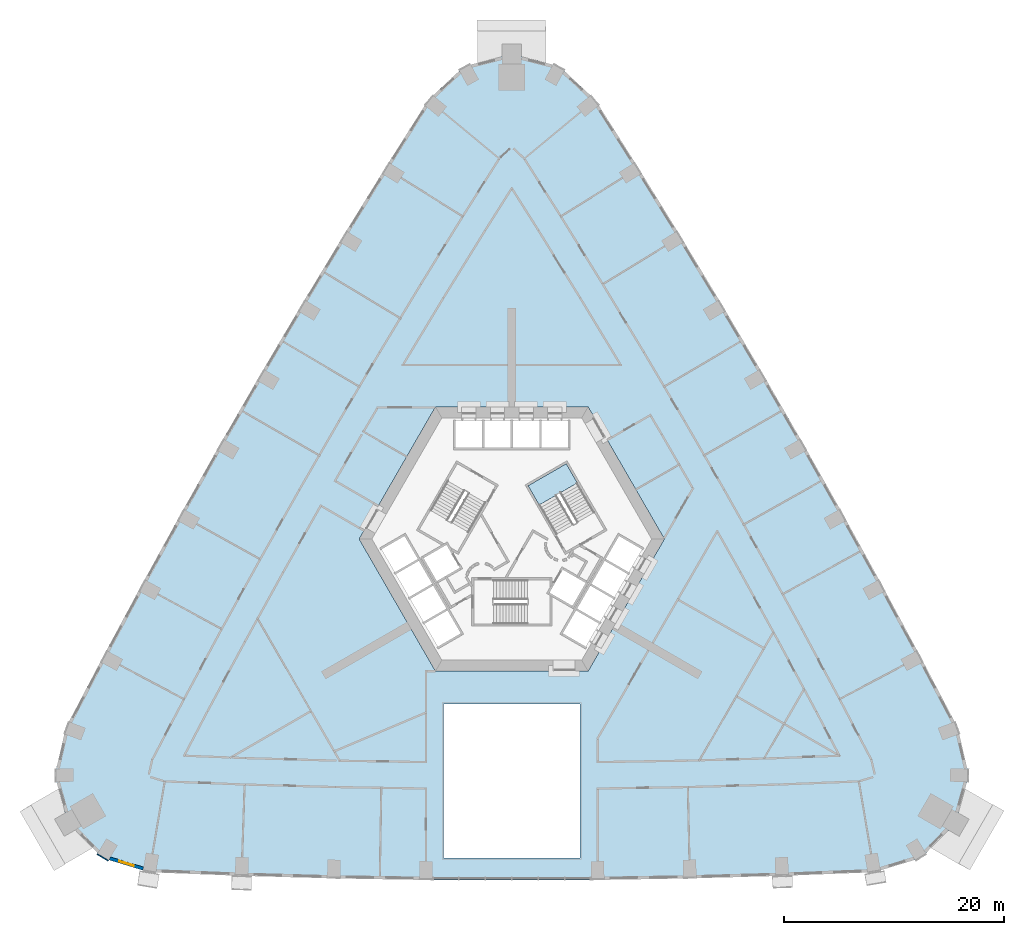
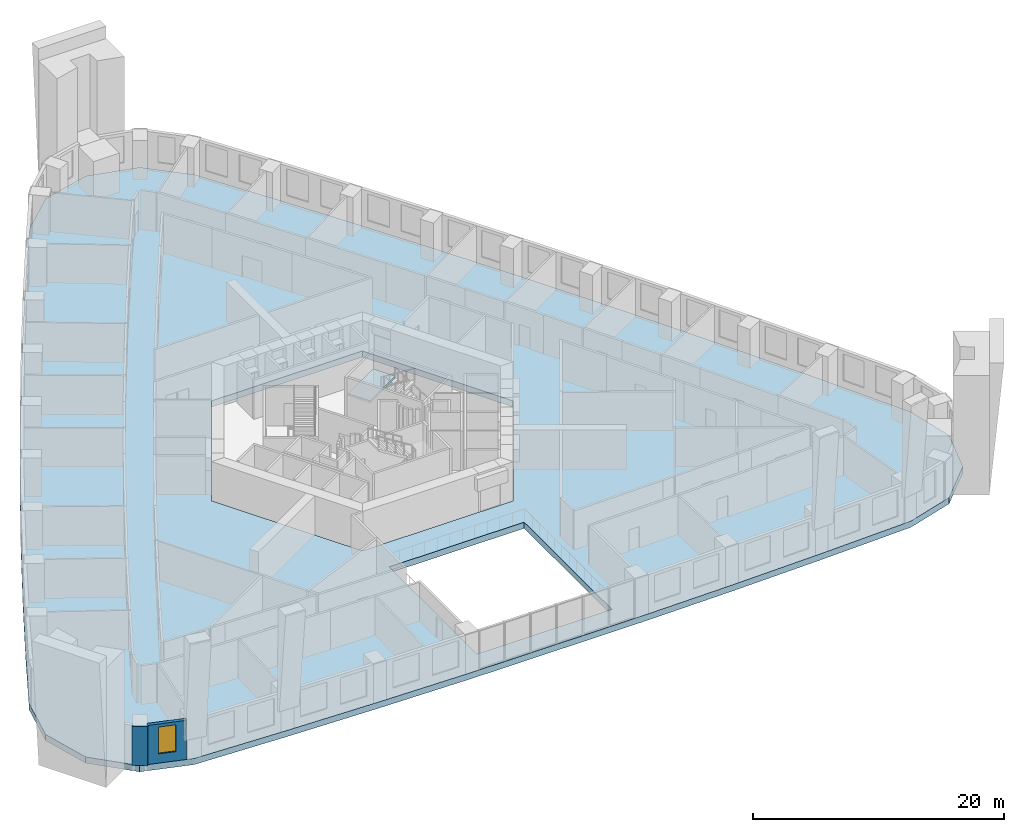
# One storey, part 3 of 15: 2 slabs, 2 walls, 1 window, 1 opening, 1 element without a shape of its own.
"""IFC4 building model written with IfcOpenShell, lengths in metres."""

from ifc_helpers import new_model, si_unit, direction, frame, frame_2d, origin, place, context, subcontext, project, spatial, polyline, rectangle, outline, extrude, material, layer, layer_set, type_object, element, fill, aggregate, save


model = new_model("IFC4")

# Units and contexts
model_context = context("Model", 3, precision=1e-05, world=origin(), true_north=direction((0.0, 1.0)))
body_context = subcontext(model_context, "Body", "Model", "MODEL_VIEW")
ifc_project = project(units=[si_unit("LENGTHUNIT", "METRE"), si_unit("AREAUNIT", "SQUARE_METRE"), si_unit("VOLUMEUNIT", "CUBIC_METRE"), si_unit("PLANEANGLEUNIT", "RADIAN"), si_unit("MASSUNIT", "GRAM", prefix="KILO")], contexts=[model_context])

# Site, building, storey
site_placement = place(None, origin())
site = spatial("IfcSite", under=ifc_project, at=site_placement, CompositionType="ELEMENT")
building_placement = place(site_placement, origin())
building = spatial("IfcBuilding", under=site, at=building_placement, Name="Entoto Arch Interchange Tower", CompositionType="ELEMENT")
storey_placement = place(building_placement, frame((0.0, 0.0, 35.0)))
storey = spatial("IfcBuildingStorey", under=building, at=storey_placement, Name="L06", CompositionType="ELEMENT", Elevation=35.0)

# Stair, slab
ifc_material_1 = material(Name="Concrete C40/50", Category="concrete")
stair_type = type_object("IfcStairType", Name="EXIT STAIR RC 1800", PredefinedType="HALF_TURN_STAIR", material=ifc_material_1)
stair_placement = place(storey_placement, origin())
stair = element("IfcStair", 1, at=stair_placement, inside=storey, type_object=stair_type, Name="L06 Exit stair NE", PredefinedType="HALF_TURN_STAIR")
ifc_layer_1 = layer(ifc_material_1, 0.199951171875)
ifc_layer_set_1 = layer_set([ifc_layer_1], Name="Concrete C40/50")
slab_type_1 = type_object("IfcSlabType", Name="EXIT STAIR LANDING RC 200", PredefinedType="LANDING", material=ifc_layer_set_1)
slab_1_placement = place(storey_placement, frame((0.0, 0.0, 1.89990234375)))
slab_1 = element("IfcSlab", 2, at=slab_1_placement, type_object=slab_type_1, Name="ST-NE landing 1", PredefinedType="LANDING", context=body_context, shape_type="SweptSolid", body=[
    extrude(outline(polyline([(5.953369140625, 7.58837890625), (4.943359375, 9.337890625), (1.479248046875, 7.337890625), (2.4892578125, 5.58837890625), (5.953369140625, 7.58837890625)])), origin(), (0.0, 0.0, 1.0), 0.2001953125),
])
aggregate(stair, [slab_1])

# Slab
ifc_layer_2 = layer(ifc_material_1, 0.60009765625)
ifc_layer_set_2 = layer_set([ifc_layer_2], Name="Concrete C40/50")
slab_type_2 = type_object("IfcSlabType", Name="Post-tensioned flat plate 600 C40/50", PredefinedType="FLOOR", material=ifc_layer_set_2)
slab_2_placement = place(storey_placement, frame((0.0, 0.0, -0.60009765625)))
element("IfcSlab", 3, at=slab_2_placement, inside=storey, type_object=slab_type_2, Name="Floor slab L06", PredefinedType="FLOOR", context=body_context, shape_type="SweptSolid", body=[
    extrude(outline(polyline([(-32.910888671875, -27.758056640625), (-24.5400390625, -28.0869140625), (-16.169921875, -28.321044921875), (-7.800048828125, -28.4580078125), (7.800048828125, -28.4580078125), (16.169921875, -28.321044921875), (24.5400390625, -28.0869140625), (32.910888671875, -27.758056640625), (37.178955078125, -26.45703125), (40.299072265625, -23.26708984375), (41.5029296875, -18.969970703125), (40.493896484375, -14.623046875), (37.093017578125, -8.14501953125), (33.626953125, -1.701904296875), (30.096923828125, 4.705078125), (26.5029296875, 11.077880859375), (22.844970703125, 17.4130859375), (19.123046875, 23.7119140625), (15.339111328125, 29.972900390625), (11.491943359375, 36.196044921875), (7.5830078125, 42.3798828125), (4.322998046875, 45.427001953125), (0.0, 46.532958984375), (-4.322998046875, 45.427001953125), (-7.5830078125, 42.3798828125), (-11.491943359375, 36.196044921875), (-15.339111328125, 29.972900390625), (-19.123046875, 23.7119140625), (-22.844970703125, 17.4130859375), (-26.5029296875, 11.077880859375), (-30.096923828125, 4.705078125), (-33.626953125, -1.701904296875), (-37.093017578125, -8.14501953125), (-40.493896484375, -14.623046875), (-41.5029296875, -18.969970703125), (-40.299072265625, -23.26708984375), (-37.178955078125, -26.45703125), (-32.910888671875, -27.758056640625)]), holes=[polyline([(6.199951171875, -26.4580078125), (6.199951171875, -12.5), (-6.199951171875, -12.5), (-6.199951171875, -26.4580078125), (6.199951171875, -26.4580078125)]), polyline([(13.85595703125, 2.5), (6.927978515625, 14.5), (-6.927978515625, 14.5), (-13.85595703125, 2.5), (-6.927978515625, -9.5), (6.927978515625, -9.5), (13.85595703125, 2.5)])]), origin(), (0.0, 0.0, 1.0), 0.60009765625),
])

# Wall, opening, window
ifc_material_2 = material(Name="Welded tuff (ignimbrite) cladding, warm buff", Category="masonry")
ifc_layer_3 = layer(ifc_material_2, 0.300048828125)
ifc_layer_set_3 = layer_set([ifc_layer_3], Name="Welded tuff (ignimbrite) cladding, warm buff")
wall_type_1 = type_object("IfcWallType", Name="STONE INFILL WALL 300", PredefinedType="STANDARD", material=ifc_layer_set_3)
wall_1_placement = place(storey_placement, frame((-36.507080078125, -26.5048828125, 0.0), z_axis=(0.0, 0.0, 1.0), x_axis=(0.95648967224, -0.291766185322, 0.0)))
wall_1 = element("IfcWall", 4, at=wall_1_placement, inside=storey, type_object=wall_type_1, Name="Facade wall SW-04 L06", PredefinedType="STANDARD", context=body_context, shape_type="SweptSolid", body=[
    extrude(rectangle(XDim=3.181396484375, YDim=0.300048828125, at=frame_2d((1.5908203125, 0.0))), origin(), (0.0, 0.0, 1.0), 3.800048828125),
])
opening_placement = place(wall_1_placement, frame((0.89111328125, 0.0, 0.89990234375)))
opening = element("IfcOpeningElement", 5, at=opening_placement, cuts=wall_1, Name="Opening WO-B", PredefinedType="OPENING", context=body_context, shape_type="SweptSolid", body=[
    extrude(rectangle(XDim=1.39990234375, YDim=2.60009765625, at=frame_2d((0.699951171875, 1.300048828125))), frame((0.0, 0.16015625, 0.0), z_axis=(0.0, -1.0, 0.0), x_axis=(1.0, 0.0, 0.0)), (0.0, 0.0, 1.0), 0.320068359375),
])
ifc_material_3 = material(Name="Clear glass, low-e double glazed", Category="glass")
window_type = type_object("IfcWindowType", Name="WINDOW WO-B 1400x2600", PartitioningType="DOUBLE_PANEL_VERTICAL", PredefinedType="WINDOW", material=ifc_material_3)
window_placement = place(opening_placement, origin())
window = element("IfcWindow", 6, at=window_placement, inside=storey, type_object=window_type, Name="Window WO-B SW-04 L06", OverallHeight=2.60009765625, OverallWidth=1.39990234375, PartitioningType="SINGLE_PANEL", PredefinedType="WINDOW", context=body_context, shape_type="SweptSolid", body=[
    extrude(rectangle(XDim=1.39990234375, YDim=2.60009765625, at=frame_2d((0.699951171875, 1.300048828125))), frame((0.0, 0.030029296875, 0.0), z_axis=(0.0, -1.0, 0.0), x_axis=(1.0, 0.0, 0.0)), (0.0, 0.0, 1.0), 0.06005859375),
])
fill(opening, window)

# Wall
ifc_layer_4 = layer(ifc_material_2, 0.10009765625)
ifc_layer_set_4 = layer_set([ifc_layer_4], Name="Welded tuff (ignimbrite) cladding, warm buff")
wall_type_2 = type_object("IfcWallType", Name="STONE PIER CLADDING 100", PredefinedType="STANDARD", material=ifc_layer_set_4)
wall_2_placement = place(storey_placement, frame((-37.666015625, -26.10302734375, 0.0), z_axis=(0.0, 0.0, 1.0), x_axis=(0.854771404281, -0.51900466898, 0.0)))
element("IfcWall", 7, at=wall_2_placement, inside=storey, type_object=wall_type_2, Name="Stone pier SW3 L06", PredefinedType="STANDARD", context=body_context, shape_type="SweptSolid", body=[
    extrude(rectangle(XDim=1.200439453125, YDim=0.10009765625, at=frame_2d((0.60009765625, 0.0))), origin(), (0.0, 0.0, 1.0), 3.800048828125),
])

save(model, "model.ifc")
